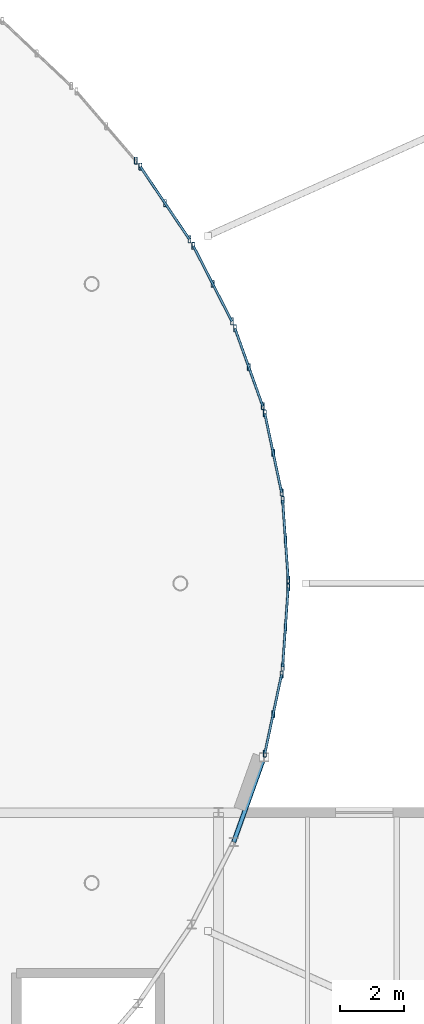
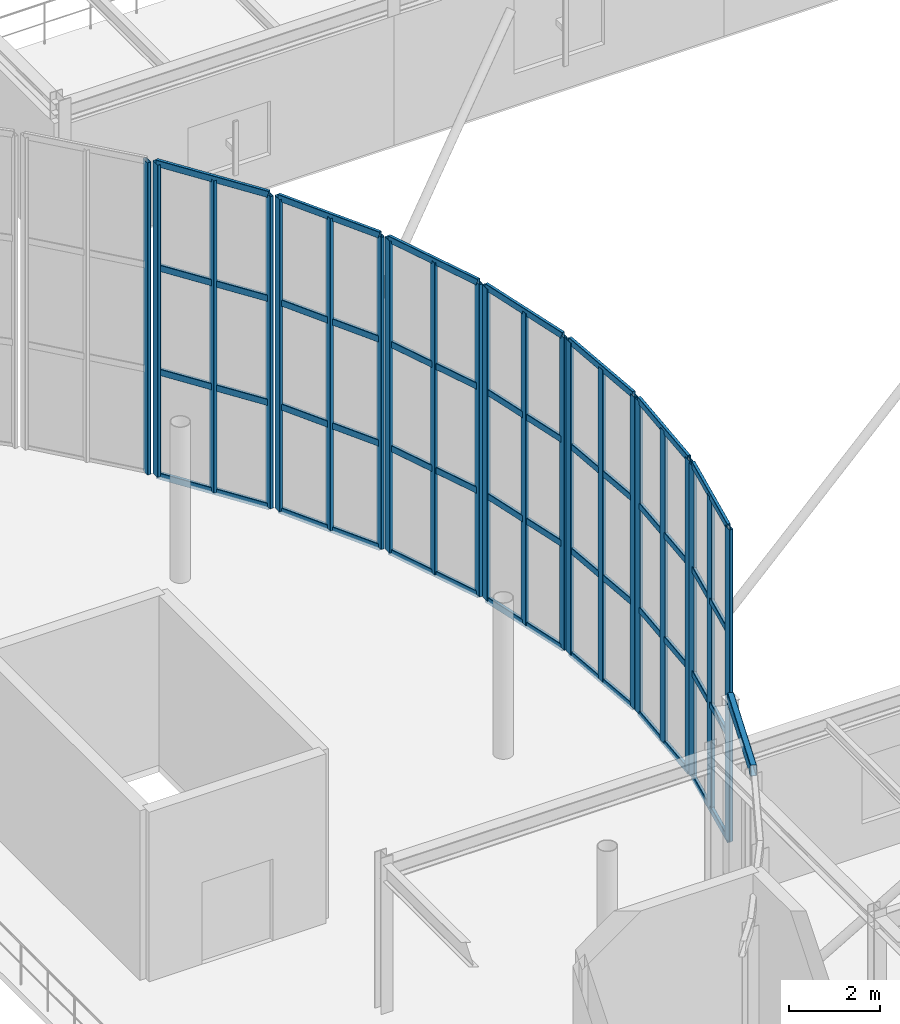
# One storey, part 32 of 109: 50 members, 1 beam, 8 elements without a shape of their own.
"""IFC4 building model written with IfcOpenShell, lengths in metres."""

from ifc_helpers import new_model, si_unit, derived_unit, direction, frame, origin, origin_2d, place, context, subcontext, project, spatial, hollow_rectangle, extrude, material, material_profile, profile_set, type_object, element, aggregate, save


model = new_model("IFC4")

# Units and contexts
model_context = context("Model", 3, precision=1e-05, world=origin(), true_north=direction((0.0, 1.0)))
body_context = subcontext(model_context, "Body", "Model", "MODEL_VIEW")
ifc_project = project(units=[si_unit("LENGTHUNIT", "METRE"), si_unit("AREAUNIT", "SQUARE_METRE"), si_unit("VOLUMEUNIT", "CUBIC_METRE"), si_unit("PLANEANGLEUNIT", "RADIAN"), si_unit("MASSUNIT", "GRAM", prefix="KILO"), derived_unit("THERMALTRANSMITTANCEUNIT", [(si_unit("MASSUNIT", "GRAM", prefix="KILO"), 1), (si_unit("TIMEUNIT", "SECOND"), -3), (si_unit("THERMODYNAMICTEMPERATUREUNIT", "KELVIN"), -1)])], contexts=[model_context])

# Site, building, storey
site_placement = place(None, origin())
site = spatial("IfcSite", under=ifc_project, at=site_placement, CompositionType="ELEMENT")
building_placement = place(site_placement, origin())
building = spatial("IfcBuilding", under=site, at=building_placement, Name="Kharveza Railside Sports Centre", CompositionType="ELEMENT")
storey_placement = place(building_placement, frame((0.0, 0.0, 4.5)))
storey = spatial("IfcBuildingStorey", under=building, at=storey_placement, Name="L01", CompositionType="ELEMENT", Elevation=4.5)

# Beam
ifc_material_1 = material(Name="Steel S355J2", Category="steel")
ifc_material_profile_1 = material_profile(ifc_material_1, hollow_rectangle(XDim=0.14990234375, YDim=0.300048828125, WallThickness=0.012451171875, InnerFilletRadius=0.012451171875, OuterFilletRadius=0.02490234375, at=origin_2d()), Name="RHS 150x300x12.5")
ifc_profile_set_1 = profile_set([ifc_material_profile_1], Name="Steel S355J2")
beam_type = type_object("IfcBeamType", Name="BM-SP03", PredefinedType="SPANDREL", material=ifc_profile_set_1)
beam_placement = place(storey_placement, frame((92.877685546875, 42.27197265625, 3.8798828125), z_axis=(0.336849879302, 0.941558367184, 0.0), x_axis=(-0.941558367184, 0.336849879302, 0.0)))
element("IfcBeam", 1, at=beam_placement, inside=storey, type_object=beam_type, Name="BM-DCLER-SILL-62", PredefinedType="SPANDREL", context=body_context, shape_type="SweptSolid", body=[
    extrude(hollow_rectangle(XDim=0.14990234375, YDim=0.300048828125, WallThickness=0.012451171875, InnerFilletRadius=0.012451171875, OuterFilletRadius=0.02490234375, at=origin_2d()), origin(), (0.0, 0.0, 1.0), 2.8310546875),
])

# Curtain wall, members
ifc_material_2 = material(Name="Low-E solar-control laminated glass", Category="glass")
curtain_wall_type = type_object("IfcCurtainWallType", Name="CW-DR01", PredefinedType="NOTDEFINED", material=ifc_material_2)
curtain_wall_1_placement = place(storey_placement, origin())
curtain_wall_1 = element("IfcCurtainWall", 2, at=curtain_wall_1_placement, inside=storey, type_object=curtain_wall_type, Name="CW-DRUM-01", PredefinedType="NOTDEFINED")
ifc_material_3 = material(Name="Anodised aluminium 6063-T6", Category="aluminium")
ifc_material_profile_2 = material_profile(ifc_material_3, hollow_rectangle(XDim=0.090087890625, YDim=0.219970703125, WallThickness=0.008056640625, InnerFilletRadius=0.008056640625, OuterFilletRadius=0.01611328125, at=origin_2d()), Name="RHS 90x220x8.0")
ifc_profile_set_2 = profile_set([ifc_material_profile_2], Name="Anodised aluminium 6063-T6")
member_type_1 = type_object("IfcMemberType", Name="CW-ML01", PredefinedType="MULLION", material=ifc_profile_set_2)
member_1_placement = place(storey_placement, frame((94.591552734375, 50.519775390625, 0.0), z_axis=(0.0, 0.0, 1.0), x_axis=(1.0, 0.0, 0.0)))
member_1 = element("IfcMember", 3, at=member_1_placement, type_object=member_type_1, Name="CW-DRUM-01-ML1", PredefinedType="MULLION", context=body_context, shape_type="SweptSolid", body=[
    extrude(hollow_rectangle(XDim=0.090087890625, YDim=0.219970703125, WallThickness=0.008056640625, InnerFilletRadius=0.008056640625, OuterFilletRadius=0.01611328125, at=origin_2d()), origin(), (0.0, 0.0, 1.0), 8.39990234375),
])
member_2_placement = place(storey_placement, frame((94.503662109375, 51.772216796875, 0.0), z_axis=(0.0, 0.0, 1.0), x_axis=(1.0, 0.0, 0.0)))
member_2 = element("IfcMember", 4, at=member_2_placement, type_object=member_type_1, Name="CW-DRUM-01-ML2", PredefinedType="MULLION", context=body_context, shape_type="SweptSolid", body=[
    extrude(hollow_rectangle(XDim=0.090087890625, YDim=0.219970703125, WallThickness=0.008056640625, InnerFilletRadius=0.008056640625, OuterFilletRadius=0.01611328125, at=origin_2d()), origin(), (0.0, 0.0, 1.0), 8.39990234375),
])
member_3_placement = place(storey_placement, frame((94.415771484375, 53.02490234375, 0.0), z_axis=(0.0, 0.0, 1.0), x_axis=(1.0, 0.0, 0.0)))
member_3 = element("IfcMember", 5, at=member_3_placement, type_object=member_type_1, Name="CW-DRUM-01-ML3", PredefinedType="MULLION", context=body_context, shape_type="SweptSolid", body=[
    extrude(hollow_rectangle(XDim=0.090087890625, YDim=0.219970703125, WallThickness=0.008056640625, InnerFilletRadius=0.008056640625, OuterFilletRadius=0.01611328125, at=origin_2d()), origin(), (0.0, 0.0, 1.0), 8.39990234375),
])

curtain_wall_2_placement = place(storey_placement, origin())
curtain_wall_2 = element("IfcCurtainWall", 6, at=curtain_wall_2_placement, inside=storey, type_object=curtain_wall_type, Name="CW-DRUM-02", PredefinedType="NOTDEFINED")
member_4_placement = place(storey_placement, frame((94.382568359375, 53.261962890625, 0.0), z_axis=(0.0, 0.0, 1.0), x_axis=(1.0, 0.0, 0.0)))
member_4 = element("IfcMember", 7, at=member_4_placement, type_object=member_type_1, Name="CW-DRUM-02-ML1", PredefinedType="MULLION", context=body_context, shape_type="SweptSolid", body=[
    extrude(hollow_rectangle(XDim=0.090087890625, YDim=0.219970703125, WallThickness=0.008056640625, InnerFilletRadius=0.008056640625, OuterFilletRadius=0.01611328125, at=origin_2d()), origin(), (0.0, 0.0, 1.0), 8.39990234375),
])
member_5_placement = place(storey_placement, frame((94.119384765625, 54.50341796875, 0.0), z_axis=(0.0, 0.0, 1.0), x_axis=(1.0, 0.0, 0.0)))
member_5 = element("IfcMember", 8, at=member_5_placement, type_object=member_type_1, Name="CW-DRUM-02-ML2", PredefinedType="MULLION", context=body_context, shape_type="SweptSolid", body=[
    extrude(hollow_rectangle(XDim=0.090087890625, YDim=0.219970703125, WallThickness=0.008056640625, InnerFilletRadius=0.008056640625, OuterFilletRadius=0.01611328125, at=origin_2d()), origin(), (0.0, 0.0, 1.0), 8.39990234375),
])
member_6_placement = place(storey_placement, frame((93.856201171875, 55.7451171875, 0.0), z_axis=(0.0, 0.0, 1.0), x_axis=(1.0, 0.0, 0.0)))
member_6 = element("IfcMember", 9, at=member_6_placement, type_object=member_type_1, Name="CW-DRUM-02-ML3", PredefinedType="MULLION", context=body_context, shape_type="SweptSolid", body=[
    extrude(hollow_rectangle(XDim=0.090087890625, YDim=0.219970703125, WallThickness=0.008056640625, InnerFilletRadius=0.008056640625, OuterFilletRadius=0.01611328125, at=origin_2d()), origin(), (0.0, 0.0, 1.0), 8.39990234375),
])

curtain_wall_3_placement = place(storey_placement, origin())
curtain_wall_3 = element("IfcCurtainWall", 10, at=curtain_wall_3_placement, inside=storey, type_object=curtain_wall_type, Name="CW-DRUM-03", PredefinedType="NOTDEFINED")
member_7_placement = place(storey_placement, frame((93.791015625, 55.9755859375, 0.0), z_axis=(0.0, 0.0, 1.0), x_axis=(1.0, 0.0, 0.0)))
member_7 = element("IfcMember", 11, at=member_7_placement, type_object=member_type_1, Name="CW-DRUM-03-ML1", PredefinedType="MULLION", context=body_context, shape_type="SweptSolid", body=[
    extrude(hollow_rectangle(XDim=0.090087890625, YDim=0.219970703125, WallThickness=0.008056640625, InnerFilletRadius=0.008056640625, OuterFilletRadius=0.01611328125, at=origin_2d()), origin(), (0.0, 0.0, 1.0), 8.39990234375),
])
member_8_placement = place(storey_placement, frame((93.3544921875, 57.1953125, 0.0), z_axis=(0.0, 0.0, 1.0), x_axis=(1.0, 0.0, 0.0)))
member_8 = element("IfcMember", 12, at=member_8_placement, type_object=member_type_1, Name="CW-DRUM-03-ML2", PredefinedType="MULLION", context=body_context, shape_type="SweptSolid", body=[
    extrude(hollow_rectangle(XDim=0.090087890625, YDim=0.219970703125, WallThickness=0.008056640625, InnerFilletRadius=0.008056640625, OuterFilletRadius=0.01611328125, at=origin_2d()), origin(), (0.0, 0.0, 1.0), 8.39990234375),
])
member_9_placement = place(storey_placement, frame((92.91796875, 58.4150390625, 0.0), z_axis=(0.0, 0.0, 1.0), x_axis=(1.0, 0.0, 0.0)))
member_9 = element("IfcMember", 13, at=member_9_placement, type_object=member_type_1, Name="CW-DRUM-03-ML3", PredefinedType="MULLION", context=body_context, shape_type="SweptSolid", body=[
    extrude(hollow_rectangle(XDim=0.090087890625, YDim=0.219970703125, WallThickness=0.008056640625, InnerFilletRadius=0.008056640625, OuterFilletRadius=0.01611328125, at=origin_2d()), origin(), (0.0, 0.0, 1.0), 8.39990234375),
])

curtain_wall_4_placement = place(storey_placement, origin())
curtain_wall_4 = element("IfcCurtainWall", 14, at=curtain_wall_4_placement, inside=storey, type_object=curtain_wall_type, Name="CW-DRUM-04", PredefinedType="NOTDEFINED")
member_10_placement = place(storey_placement, frame((92.822998046875, 58.634765625, 0.0), z_axis=(0.0, 0.0, 1.0), x_axis=(1.0, 0.0, 0.0)))
member_10 = element("IfcMember", 15, at=member_10_placement, type_object=member_type_1, Name="CW-DRUM-04-ML1", PredefinedType="MULLION", context=body_context, shape_type="SweptSolid", body=[
    extrude(hollow_rectangle(XDim=0.090087890625, YDim=0.219970703125, WallThickness=0.008056640625, InnerFilletRadius=0.008056640625, OuterFilletRadius=0.01611328125, at=origin_2d()), origin(), (0.0, 0.0, 1.0), 8.39990234375),
])
member_11_placement = place(storey_placement, frame((92.21630859375, 59.821533203125, 0.0), z_axis=(0.0, 0.0, 1.0), x_axis=(1.0, 0.0, 0.0)))
member_11 = element("IfcMember", 16, at=member_11_placement, type_object=member_type_1, Name="CW-DRUM-04-ML2", PredefinedType="MULLION", context=body_context, shape_type="SweptSolid", body=[
    extrude(hollow_rectangle(XDim=0.090087890625, YDim=0.219970703125, WallThickness=0.008056640625, InnerFilletRadius=0.008056640625, OuterFilletRadius=0.01611328125, at=origin_2d()), origin(), (0.0, 0.0, 1.0), 8.39990234375),
])
member_12_placement = place(storey_placement, frame((91.60986328125, 61.00830078125, 0.0), z_axis=(0.0, 0.0, 1.0), x_axis=(1.0, 0.0, 0.0)))
member_12 = element("IfcMember", 17, at=member_12_placement, type_object=member_type_1, Name="CW-DRUM-04-ML3", PredefinedType="MULLION", context=body_context, shape_type="SweptSolid", body=[
    extrude(hollow_rectangle(XDim=0.090087890625, YDim=0.219970703125, WallThickness=0.008056640625, InnerFilletRadius=0.008056640625, OuterFilletRadius=0.01611328125, at=origin_2d()), origin(), (0.0, 0.0, 1.0), 8.39990234375),
])

curtain_wall_5_placement = place(storey_placement, origin())
curtain_wall_5 = element("IfcCurtainWall", 18, at=curtain_wall_5_placement, inside=storey, type_object=curtain_wall_type, Name="CW-DRUM-05", PredefinedType="NOTDEFINED")
member_13_placement = place(storey_placement, frame((91.488037109375, 61.214599609375, 0.0), z_axis=(0.0, 0.0, 1.0), x_axis=(1.0, 0.0, 0.0)))
member_13 = element("IfcMember", 19, at=member_13_placement, type_object=member_type_1, Name="CW-DRUM-05-ML1", PredefinedType="MULLION", context=body_context, shape_type="SweptSolid", body=[
    extrude(hollow_rectangle(XDim=0.090087890625, YDim=0.219970703125, WallThickness=0.008056640625, InnerFilletRadius=0.008056640625, OuterFilletRadius=0.01611328125, at=origin_2d()), origin(), (0.0, 0.0, 1.0), 8.39990234375),
])
member_14_placement = place(storey_placement, frame((90.716064453125, 62.357177734375, 0.0), z_axis=(0.0, 0.0, 1.0), x_axis=(1.0, 0.0, 0.0)))
member_14 = element("IfcMember", 20, at=member_14_placement, type_object=member_type_1, Name="CW-DRUM-05-ML2", PredefinedType="MULLION", context=body_context, shape_type="SweptSolid", body=[
    extrude(hollow_rectangle(XDim=0.090087890625, YDim=0.219970703125, WallThickness=0.008056640625, InnerFilletRadius=0.008056640625, OuterFilletRadius=0.01611328125, at=origin_2d()), origin(), (0.0, 0.0, 1.0), 8.39990234375),
])
member_15_placement = place(storey_placement, frame((89.944091796875, 63.499755859375, 0.0), z_axis=(0.0, 0.0, 1.0), x_axis=(1.0, 0.0, 0.0)))
member_15 = element("IfcMember", 21, at=member_15_placement, type_object=member_type_1, Name="CW-DRUM-05-ML3", PredefinedType="MULLION", context=body_context, shape_type="SweptSolid", body=[
    extrude(hollow_rectangle(XDim=0.090087890625, YDim=0.219970703125, WallThickness=0.008056640625, InnerFilletRadius=0.008056640625, OuterFilletRadius=0.01611328125, at=origin_2d()), origin(), (0.0, 0.0, 1.0), 8.39990234375),
])

# Curtain wall, member
curtain_wall_6_placement = place(storey_placement, origin())
curtain_wall_6 = element("IfcCurtainWall", 22, at=curtain_wall_6_placement, inside=storey, type_object=curtain_wall_type, Name="CW-DRUM-06", PredefinedType="NOTDEFINED")
member_16_placement = place(storey_placement, frame((89.798828125, 63.690185546875, 0.0), z_axis=(0.0, 0.0, 1.0), x_axis=(1.0, 0.0, 0.0)))
member_16 = element("IfcMember", 23, at=member_16_placement, type_object=member_type_1, Name="CW-DRUM-06-ML1", PredefinedType="MULLION", context=body_context, shape_type="SweptSolid", body=[
    extrude(hollow_rectangle(XDim=0.090087890625, YDim=0.219970703125, WallThickness=0.008056640625, InnerFilletRadius=0.008056640625, OuterFilletRadius=0.01611328125, at=origin_2d()), origin(), (0.0, 0.0, 1.0), 8.39990234375),
])
aggregate(curtain_wall_6, [member_16])

# Curtain wall, members
curtain_wall_7_placement = place(storey_placement, origin())
curtain_wall_7 = element("IfcCurtainWall", 24, at=curtain_wall_7_placement, inside=storey, type_object=curtain_wall_type, Name="CW-DRUM-63", PredefinedType="NOTDEFINED")
member_17_placement = place(storey_placement, frame((93.856201171875, 45.054931640625, 0.0), z_axis=(0.0, 0.0, 1.0), x_axis=(1.0, 0.0, 0.0)))
member_17 = element("IfcMember", 25, at=member_17_placement, type_object=member_type_1, Name="CW-DRUM-63-ML1", PredefinedType="MULLION", context=body_context, shape_type="SweptSolid", body=[
    extrude(hollow_rectangle(XDim=0.090087890625, YDim=0.219970703125, WallThickness=0.008056640625, InnerFilletRadius=0.008056640625, OuterFilletRadius=0.01611328125, at=origin_2d()), origin(), (0.0, 0.0, 1.0), 8.39990234375),
])
member_18_placement = place(storey_placement, frame((94.119384765625, 46.29638671875, 0.0), z_axis=(0.0, 0.0, 1.0), x_axis=(1.0, 0.0, 0.0)))
member_18 = element("IfcMember", 26, at=member_18_placement, type_object=member_type_1, Name="CW-DRUM-63-ML2", PredefinedType="MULLION", context=body_context, shape_type="SweptSolid", body=[
    extrude(hollow_rectangle(XDim=0.090087890625, YDim=0.219970703125, WallThickness=0.008056640625, InnerFilletRadius=0.008056640625, OuterFilletRadius=0.01611328125, at=origin_2d()), origin(), (0.0, 0.0, 1.0), 8.39990234375),
])
member_19_placement = place(storey_placement, frame((94.382568359375, 47.5380859375, 0.0), z_axis=(0.0, 0.0, 1.0), x_axis=(1.0, 0.0, 0.0)))
member_19 = element("IfcMember", 27, at=member_19_placement, type_object=member_type_1, Name="CW-DRUM-63-ML3", PredefinedType="MULLION", context=body_context, shape_type="SweptSolid", body=[
    extrude(hollow_rectangle(XDim=0.090087890625, YDim=0.219970703125, WallThickness=0.008056640625, InnerFilletRadius=0.008056640625, OuterFilletRadius=0.01611328125, at=origin_2d()), origin(), (0.0, 0.0, 1.0), 8.39990234375),
])

curtain_wall_8_placement = place(storey_placement, origin())
curtain_wall_8 = element("IfcCurtainWall", 28, at=curtain_wall_8_placement, inside=storey, type_object=curtain_wall_type, Name="CW-DRUM-64", PredefinedType="NOTDEFINED")
member_20_placement = place(storey_placement, frame((94.415771484375, 47.775146484375, 0.0), z_axis=(0.0, 0.0, 1.0), x_axis=(1.0, 0.0, 0.0)))
member_20 = element("IfcMember", 29, at=member_20_placement, type_object=member_type_1, Name="CW-DRUM-64-ML1", PredefinedType="MULLION", context=body_context, shape_type="SweptSolid", body=[
    extrude(hollow_rectangle(XDim=0.090087890625, YDim=0.219970703125, WallThickness=0.008056640625, InnerFilletRadius=0.008056640625, OuterFilletRadius=0.01611328125, at=origin_2d()), origin(), (0.0, 0.0, 1.0), 8.39990234375),
])
member_21_placement = place(storey_placement, frame((94.503662109375, 49.02783203125, 0.0), z_axis=(0.0, 0.0, 1.0), x_axis=(1.0, 0.0, 0.0)))
member_21 = element("IfcMember", 30, at=member_21_placement, type_object=member_type_1, Name="CW-DRUM-64-ML2", PredefinedType="MULLION", context=body_context, shape_type="SweptSolid", body=[
    extrude(hollow_rectangle(XDim=0.090087890625, YDim=0.219970703125, WallThickness=0.008056640625, InnerFilletRadius=0.008056640625, OuterFilletRadius=0.01611328125, at=origin_2d()), origin(), (0.0, 0.0, 1.0), 8.39990234375),
])
member_22_placement = place(storey_placement, frame((94.591552734375, 50.2802734375, 0.0), z_axis=(0.0, 0.0, 1.0), x_axis=(1.0, 0.0, 0.0)))
member_22 = element("IfcMember", 31, at=member_22_placement, type_object=member_type_1, Name="CW-DRUM-64-ML3", PredefinedType="MULLION", context=body_context, shape_type="SweptSolid", body=[
    extrude(hollow_rectangle(XDim=0.090087890625, YDim=0.219970703125, WallThickness=0.008056640625, InnerFilletRadius=0.008056640625, OuterFilletRadius=0.01611328125, at=origin_2d()), origin(), (0.0, 0.0, 1.0), 8.39990234375),
])

# Member
ifc_material_profile_3 = material_profile(ifc_material_3, hollow_rectangle(XDim=0.080078125, YDim=0.179931640625, WallThickness=0.00634765625, InnerFilletRadius=0.00634765625, OuterFilletRadius=0.0126953125, at=origin_2d()), Name="RHS 80x180x6.3")
ifc_profile_set_3 = profile_set([ifc_material_profile_3], Name="Anodised aluminium 6063-T6")
member_type_2 = type_object("IfcMemberType", Name="CW-TR01", PredefinedType="USERDEFINED", material=ifc_profile_set_3)
member_23_placement = place(storey_placement, frame((94.591552734375, 50.519775390625, 0.0), z_axis=(-0.069996492641, 0.997547237487, 0.0), x_axis=(-0.997547237487, -0.069996492641, 0.0)))
member_23 = element("IfcMember", 32, at=member_23_placement, type_object=member_type_2, Name="CW-DRUM-01-TR1", ObjectType="TRANSOM", PredefinedType="USERDEFINED", context=body_context, shape_type="SweptSolid", body=[
    extrude(hollow_rectangle(XDim=0.080078125, YDim=0.179931640625, WallThickness=0.00634765625, InnerFilletRadius=0.00634765625, OuterFilletRadius=0.0126953125, at=origin_2d()), origin(), (0.0, 0.0, 1.0), 2.51123046875),
])

member_24_placement = place(storey_placement, frame((94.591552734375, 50.519775390625, 2.800048828125), z_axis=(-0.069996492641, 0.997547237487, 0.0), x_axis=(-0.997547237487, -0.069996492641, 0.0)))
member_24 = element("IfcMember", 33, at=member_24_placement, type_object=member_type_2, Name="CW-DRUM-01-TR2", ObjectType="TRANSOM", PredefinedType="USERDEFINED", context=body_context, shape_type="SweptSolid", body=[
    extrude(hollow_rectangle(XDim=0.080078125, YDim=0.179931640625, WallThickness=0.00634765625, InnerFilletRadius=0.00634765625, OuterFilletRadius=0.0126953125, at=origin_2d()), origin(), (0.0, 0.0, 1.0), 2.51123046875),
])

member_25_placement = place(storey_placement, frame((94.591552734375, 50.519775390625, 5.60009765625), z_axis=(-0.069996492641, 0.997547237487, 0.0), x_axis=(-0.997547237487, -0.069996492641, 0.0)))
member_25 = element("IfcMember", 34, at=member_25_placement, type_object=member_type_2, Name="CW-DRUM-01-TR3", ObjectType="TRANSOM", PredefinedType="USERDEFINED", context=body_context, shape_type="SweptSolid", body=[
    extrude(hollow_rectangle(XDim=0.080078125, YDim=0.179931640625, WallThickness=0.00634765625, InnerFilletRadius=0.00634765625, OuterFilletRadius=0.0126953125, at=origin_2d()), origin(), (0.0, 0.0, 1.0), 2.51123046875),
])

member_26_placement = place(storey_placement, frame((94.591552734375, 50.519775390625, 8.39990234375), z_axis=(-0.069996492641, 0.997547237487, 0.0), x_axis=(-0.997547237487, -0.069996492641, 0.0)))
member_26 = element("IfcMember", 35, at=member_26_placement, type_object=member_type_2, Name="CW-DRUM-01-TR4", ObjectType="TRANSOM", PredefinedType="USERDEFINED", context=body_context, shape_type="SweptSolid", body=[
    extrude(hollow_rectangle(XDim=0.080078125, YDim=0.179931640625, WallThickness=0.00634765625, InnerFilletRadius=0.00634765625, OuterFilletRadius=0.0126953125, at=origin_2d()), origin(), (0.0, 0.0, 1.0), 2.51123046875),
])

aggregate(curtain_wall_1, [member_1, member_2, member_3, member_23, member_24, member_25, member_26])

member_27_placement = place(storey_placement, frame((94.382568359375, 53.261962890625, 0.0), z_axis=(-0.207367540552, 0.978263105266, 0.0), x_axis=(-0.978263105266, -0.207367540552, 0.0)))
member_27 = element("IfcMember", 36, at=member_27_placement, type_object=member_type_2, Name="CW-DRUM-02-TR1", ObjectType="TRANSOM", PredefinedType="USERDEFINED", context=body_context, shape_type="SweptSolid", body=[
    extrude(hollow_rectangle(XDim=0.080078125, YDim=0.179931640625, WallThickness=0.00634765625, InnerFilletRadius=0.00634765625, OuterFilletRadius=0.0126953125, at=origin_2d()), origin(), (0.0, 0.0, 1.0), 2.538330078125),
])

member_28_placement = place(storey_placement, frame((94.382568359375, 53.261962890625, 2.800048828125), z_axis=(-0.207367540552, 0.978263105266, 0.0), x_axis=(-0.978263105266, -0.207367540552, 0.0)))
member_28 = element("IfcMember", 37, at=member_28_placement, type_object=member_type_2, Name="CW-DRUM-02-TR2", ObjectType="TRANSOM", PredefinedType="USERDEFINED", context=body_context, shape_type="SweptSolid", body=[
    extrude(hollow_rectangle(XDim=0.080078125, YDim=0.179931640625, WallThickness=0.00634765625, InnerFilletRadius=0.00634765625, OuterFilletRadius=0.0126953125, at=origin_2d()), origin(), (0.0, 0.0, 1.0), 2.538330078125),
])

member_29_placement = place(storey_placement, frame((94.382568359375, 53.261962890625, 5.60009765625), z_axis=(-0.207367540552, 0.978263105266, 0.0), x_axis=(-0.978263105266, -0.207367540552, 0.0)))
member_29 = element("IfcMember", 38, at=member_29_placement, type_object=member_type_2, Name="CW-DRUM-02-TR3", ObjectType="TRANSOM", PredefinedType="USERDEFINED", context=body_context, shape_type="SweptSolid", body=[
    extrude(hollow_rectangle(XDim=0.080078125, YDim=0.179931640625, WallThickness=0.00634765625, InnerFilletRadius=0.00634765625, OuterFilletRadius=0.0126953125, at=origin_2d()), origin(), (0.0, 0.0, 1.0), 2.538330078125),
])

member_30_placement = place(storey_placement, frame((94.382568359375, 53.261962890625, 8.39990234375), z_axis=(-0.207367540552, 0.978263105266, 0.0), x_axis=(-0.978263105266, -0.207367540552, 0.0)))
member_30 = element("IfcMember", 39, at=member_30_placement, type_object=member_type_2, Name="CW-DRUM-02-TR4", ObjectType="TRANSOM", PredefinedType="USERDEFINED", context=body_context, shape_type="SweptSolid", body=[
    extrude(hollow_rectangle(XDim=0.080078125, YDim=0.179931640625, WallThickness=0.00634765625, InnerFilletRadius=0.00634765625, OuterFilletRadius=0.0126953125, at=origin_2d()), origin(), (0.0, 0.0, 1.0), 2.538330078125),
])

aggregate(curtain_wall_2, [member_4, member_5, member_6, member_27, member_28, member_29, member_30])

member_31_placement = place(storey_placement, frame((93.791015625, 55.9755859375, 0.0), z_axis=(-0.336957116083, 0.941519995497, 0.0), x_axis=(-0.941519995497, -0.336957116083, 0.0)))
member_31 = element("IfcMember", 40, at=member_31_placement, type_object=member_type_2, Name="CW-DRUM-03-TR1", ObjectType="TRANSOM", PredefinedType="USERDEFINED", context=body_context, shape_type="SweptSolid", body=[
    extrude(hollow_rectangle(XDim=0.080078125, YDim=0.179931640625, WallThickness=0.00634765625, InnerFilletRadius=0.00634765625, OuterFilletRadius=0.0126953125, at=origin_2d()), origin(), (0.0, 0.0, 1.0), 2.591064453125),
])

member_32_placement = place(storey_placement, frame((93.791015625, 55.9755859375, 2.800048828125), z_axis=(-0.336957116083, 0.941519995497, 0.0), x_axis=(-0.941519995497, -0.336957116083, 0.0)))
member_32 = element("IfcMember", 41, at=member_32_placement, type_object=member_type_2, Name="CW-DRUM-03-TR2", ObjectType="TRANSOM", PredefinedType="USERDEFINED", context=body_context, shape_type="SweptSolid", body=[
    extrude(hollow_rectangle(XDim=0.080078125, YDim=0.179931640625, WallThickness=0.00634765625, InnerFilletRadius=0.00634765625, OuterFilletRadius=0.0126953125, at=origin_2d()), origin(), (0.0, 0.0, 1.0), 2.591064453125),
])

member_33_placement = place(storey_placement, frame((93.791015625, 55.9755859375, 5.60009765625), z_axis=(-0.336957116083, 0.941519995497, 0.0), x_axis=(-0.941519995497, -0.336957116083, 0.0)))
member_33 = element("IfcMember", 42, at=member_33_placement, type_object=member_type_2, Name="CW-DRUM-03-TR3", ObjectType="TRANSOM", PredefinedType="USERDEFINED", context=body_context, shape_type="SweptSolid", body=[
    extrude(hollow_rectangle(XDim=0.080078125, YDim=0.179931640625, WallThickness=0.00634765625, InnerFilletRadius=0.00634765625, OuterFilletRadius=0.0126953125, at=origin_2d()), origin(), (0.0, 0.0, 1.0), 2.591064453125),
])

member_34_placement = place(storey_placement, frame((93.791015625, 55.9755859375, 8.39990234375), z_axis=(-0.336957116083, 0.941519995497, 0.0), x_axis=(-0.941519995497, -0.336957116083, 0.0)))
member_34 = element("IfcMember", 43, at=member_34_placement, type_object=member_type_2, Name="CW-DRUM-03-TR4", ObjectType="TRANSOM", PredefinedType="USERDEFINED", context=body_context, shape_type="SweptSolid", body=[
    extrude(hollow_rectangle(XDim=0.080078125, YDim=0.179931640625, WallThickness=0.00634765625, InnerFilletRadius=0.00634765625, OuterFilletRadius=0.0126953125, at=origin_2d()), origin(), (0.0, 0.0, 1.0), 2.591064453125),
])

aggregate(curtain_wall_3, [member_7, member_8, member_9, member_31, member_32, member_33, member_34])

member_35_placement = place(storey_placement, frame((92.822998046875, 58.634765625, 0.0), z_axis=(-0.45510944603, 0.890435507004, 0.0), x_axis=(-0.890435507004, -0.45510944603, 0.0)))
member_35 = element("IfcMember", 44, at=member_35_placement, type_object=member_type_2, Name="CW-DRUM-04-TR1", ObjectType="TRANSOM", PredefinedType="USERDEFINED", context=body_context, shape_type="SweptSolid", body=[
    extrude(hollow_rectangle(XDim=0.080078125, YDim=0.179931640625, WallThickness=0.00634765625, InnerFilletRadius=0.00634765625, OuterFilletRadius=0.0126953125, at=origin_2d()), origin(), (0.0, 0.0, 1.0), 2.66552734375),
])

member_36_placement = place(storey_placement, frame((92.822998046875, 58.634765625, 2.800048828125), z_axis=(-0.45510944603, 0.890435507004, 0.0), x_axis=(-0.890435507004, -0.45510944603, 0.0)))
member_36 = element("IfcMember", 45, at=member_36_placement, type_object=member_type_2, Name="CW-DRUM-04-TR2", ObjectType="TRANSOM", PredefinedType="USERDEFINED", context=body_context, shape_type="SweptSolid", body=[
    extrude(hollow_rectangle(XDim=0.080078125, YDim=0.179931640625, WallThickness=0.00634765625, InnerFilletRadius=0.00634765625, OuterFilletRadius=0.0126953125, at=origin_2d()), origin(), (0.0, 0.0, 1.0), 2.66552734375),
])

member_37_placement = place(storey_placement, frame((92.822998046875, 58.634765625, 5.60009765625), z_axis=(-0.45510944603, 0.890435507004, 0.0), x_axis=(-0.890435507004, -0.45510944603, 0.0)))
member_37 = element("IfcMember", 46, at=member_37_placement, type_object=member_type_2, Name="CW-DRUM-04-TR3", ObjectType="TRANSOM", PredefinedType="USERDEFINED", context=body_context, shape_type="SweptSolid", body=[
    extrude(hollow_rectangle(XDim=0.080078125, YDim=0.179931640625, WallThickness=0.00634765625, InnerFilletRadius=0.00634765625, OuterFilletRadius=0.0126953125, at=origin_2d()), origin(), (0.0, 0.0, 1.0), 2.66552734375),
])

member_38_placement = place(storey_placement, frame((92.822998046875, 58.634765625, 8.39990234375), z_axis=(-0.45510944603, 0.890435507004, 0.0), x_axis=(-0.890435507004, -0.45510944603, 0.0)))
member_38 = element("IfcMember", 47, at=member_38_placement, type_object=member_type_2, Name="CW-DRUM-04-TR4", ObjectType="TRANSOM", PredefinedType="USERDEFINED", context=body_context, shape_type="SweptSolid", body=[
    extrude(hollow_rectangle(XDim=0.080078125, YDim=0.179931640625, WallThickness=0.00634765625, InnerFilletRadius=0.00634765625, OuterFilletRadius=0.0126953125, at=origin_2d()), origin(), (0.0, 0.0, 1.0), 2.66552734375),
])

aggregate(curtain_wall_4, [member_10, member_11, member_12, member_35, member_36, member_37, member_38])

member_39_placement = place(storey_placement, frame((91.488037109375, 61.214599609375, 0.0), z_axis=(-0.559837699237, 0.828602287296, 0.0), x_axis=(-0.828602287296, -0.559837699237, 0.0)))
member_39 = element("IfcMember", 48, at=member_39_placement, type_object=member_type_2, Name="CW-DRUM-05-TR1", ObjectType="TRANSOM", PredefinedType="USERDEFINED", context=body_context, shape_type="SweptSolid", body=[
    extrude(hollow_rectangle(XDim=0.080078125, YDim=0.179931640625, WallThickness=0.00634765625, InnerFilletRadius=0.00634765625, OuterFilletRadius=0.0126953125, at=origin_2d()), origin(), (0.0, 0.0, 1.0), 2.7578125),
])

member_40_placement = place(storey_placement, frame((91.488037109375, 61.214599609375, 2.800048828125), z_axis=(-0.559837699237, 0.828602287296, 0.0), x_axis=(-0.828602287296, -0.559837699237, 0.0)))
member_40 = element("IfcMember", 49, at=member_40_placement, type_object=member_type_2, Name="CW-DRUM-05-TR2", ObjectType="TRANSOM", PredefinedType="USERDEFINED", context=body_context, shape_type="SweptSolid", body=[
    extrude(hollow_rectangle(XDim=0.080078125, YDim=0.179931640625, WallThickness=0.00634765625, InnerFilletRadius=0.00634765625, OuterFilletRadius=0.0126953125, at=origin_2d()), origin(), (0.0, 0.0, 1.0), 2.7578125),
])

member_41_placement = place(storey_placement, frame((91.488037109375, 61.214599609375, 5.60009765625), z_axis=(-0.559837699237, 0.828602287296, 0.0), x_axis=(-0.828602287296, -0.559837699237, 0.0)))
member_41 = element("IfcMember", 50, at=member_41_placement, type_object=member_type_2, Name="CW-DRUM-05-TR3", ObjectType="TRANSOM", PredefinedType="USERDEFINED", context=body_context, shape_type="SweptSolid", body=[
    extrude(hollow_rectangle(XDim=0.080078125, YDim=0.179931640625, WallThickness=0.00634765625, InnerFilletRadius=0.00634765625, OuterFilletRadius=0.0126953125, at=origin_2d()), origin(), (0.0, 0.0, 1.0), 2.7578125),
])

member_42_placement = place(storey_placement, frame((91.488037109375, 61.214599609375, 8.39990234375), z_axis=(-0.559837699237, 0.828602287296, 0.0), x_axis=(-0.828602287296, -0.559837699237, 0.0)))
member_42 = element("IfcMember", 51, at=member_42_placement, type_object=member_type_2, Name="CW-DRUM-05-TR4", ObjectType="TRANSOM", PredefinedType="USERDEFINED", context=body_context, shape_type="SweptSolid", body=[
    extrude(hollow_rectangle(XDim=0.080078125, YDim=0.179931640625, WallThickness=0.00634765625, InnerFilletRadius=0.00634765625, OuterFilletRadius=0.0126953125, at=origin_2d()), origin(), (0.0, 0.0, 1.0), 2.7578125),
])

aggregate(curtain_wall_5, [member_13, member_14, member_15, member_39, member_40, member_41, member_42])

member_43_placement = place(storey_placement, frame((93.856201171875, 45.054931640625, 0.0), z_axis=(0.207367540552, 0.978263105266, 0.0), x_axis=(-0.978263105266, 0.207367540552, 0.0)))
member_43 = element("IfcMember", 52, at=member_43_placement, type_object=member_type_2, Name="CW-DRUM-63-TR1", ObjectType="TRANSOM", PredefinedType="USERDEFINED", context=body_context, shape_type="SweptSolid", body=[
    extrude(hollow_rectangle(XDim=0.080078125, YDim=0.179931640625, WallThickness=0.00634765625, InnerFilletRadius=0.00634765625, OuterFilletRadius=0.0126953125, at=origin_2d()), origin(), (0.0, 0.0, 1.0), 2.538330078125),
])

member_44_placement = place(storey_placement, frame((93.856201171875, 45.054931640625, 2.800048828125), z_axis=(0.207367540552, 0.978263105266, 0.0), x_axis=(-0.978263105266, 0.207367540552, 0.0)))
member_44 = element("IfcMember", 53, at=member_44_placement, type_object=member_type_2, Name="CW-DRUM-63-TR2", ObjectType="TRANSOM", PredefinedType="USERDEFINED", context=body_context, shape_type="SweptSolid", body=[
    extrude(hollow_rectangle(XDim=0.080078125, YDim=0.179931640625, WallThickness=0.00634765625, InnerFilletRadius=0.00634765625, OuterFilletRadius=0.0126953125, at=origin_2d()), origin(), (0.0, 0.0, 1.0), 2.538330078125),
])

member_45_placement = place(storey_placement, frame((93.856201171875, 45.054931640625, 5.60009765625), z_axis=(0.207367540552, 0.978263105266, 0.0), x_axis=(-0.978263105266, 0.207367540552, 0.0)))
member_45 = element("IfcMember", 54, at=member_45_placement, type_object=member_type_2, Name="CW-DRUM-63-TR3", ObjectType="TRANSOM", PredefinedType="USERDEFINED", context=body_context, shape_type="SweptSolid", body=[
    extrude(hollow_rectangle(XDim=0.080078125, YDim=0.179931640625, WallThickness=0.00634765625, InnerFilletRadius=0.00634765625, OuterFilletRadius=0.0126953125, at=origin_2d()), origin(), (0.0, 0.0, 1.0), 2.538330078125),
])

member_46_placement = place(storey_placement, frame((93.856201171875, 45.054931640625, 8.39990234375), z_axis=(0.207367540552, 0.978263105266, 0.0), x_axis=(-0.978263105266, 0.207367540552, 0.0)))
member_46 = element("IfcMember", 55, at=member_46_placement, type_object=member_type_2, Name="CW-DRUM-63-TR4", ObjectType="TRANSOM", PredefinedType="USERDEFINED", context=body_context, shape_type="SweptSolid", body=[
    extrude(hollow_rectangle(XDim=0.080078125, YDim=0.179931640625, WallThickness=0.00634765625, InnerFilletRadius=0.00634765625, OuterFilletRadius=0.0126953125, at=origin_2d()), origin(), (0.0, 0.0, 1.0), 2.538330078125),
])

aggregate(curtain_wall_7, [member_17, member_18, member_19, member_43, member_44, member_45, member_46])

member_47_placement = place(storey_placement, frame((94.415771484375, 47.775146484375, 0.0), z_axis=(0.069996492641, 0.997547237487, 0.0), x_axis=(-0.997547237487, 0.069996492641, 0.0)))
member_47 = element("IfcMember", 56, at=member_47_placement, type_object=member_type_2, Name="CW-DRUM-64-TR1", ObjectType="TRANSOM", PredefinedType="USERDEFINED", context=body_context, shape_type="SweptSolid", body=[
    extrude(hollow_rectangle(XDim=0.080078125, YDim=0.179931640625, WallThickness=0.00634765625, InnerFilletRadius=0.00634765625, OuterFilletRadius=0.0126953125, at=origin_2d()), origin(), (0.0, 0.0, 1.0), 2.51123046875),
])

member_48_placement = place(storey_placement, frame((94.415771484375, 47.775146484375, 2.800048828125), z_axis=(0.069996492641, 0.997547237487, 0.0), x_axis=(-0.997547237487, 0.069996492641, 0.0)))
member_48 = element("IfcMember", 57, at=member_48_placement, type_object=member_type_2, Name="CW-DRUM-64-TR2", ObjectType="TRANSOM", PredefinedType="USERDEFINED", context=body_context, shape_type="SweptSolid", body=[
    extrude(hollow_rectangle(XDim=0.080078125, YDim=0.179931640625, WallThickness=0.00634765625, InnerFilletRadius=0.00634765625, OuterFilletRadius=0.0126953125, at=origin_2d()), origin(), (0.0, 0.0, 1.0), 2.51123046875),
])

member_49_placement = place(storey_placement, frame((94.415771484375, 47.775146484375, 5.60009765625), z_axis=(0.069996492641, 0.997547237487, 0.0), x_axis=(-0.997547237487, 0.069996492641, 0.0)))
member_49 = element("IfcMember", 58, at=member_49_placement, type_object=member_type_2, Name="CW-DRUM-64-TR3", ObjectType="TRANSOM", PredefinedType="USERDEFINED", context=body_context, shape_type="SweptSolid", body=[
    extrude(hollow_rectangle(XDim=0.080078125, YDim=0.179931640625, WallThickness=0.00634765625, InnerFilletRadius=0.00634765625, OuterFilletRadius=0.0126953125, at=origin_2d()), origin(), (0.0, 0.0, 1.0), 2.51123046875),
])

member_50_placement = place(storey_placement, frame((94.415771484375, 47.775146484375, 8.39990234375), z_axis=(0.069996492641, 0.997547237487, 0.0), x_axis=(-0.997547237487, 0.069996492641, 0.0)))
member_50 = element("IfcMember", 59, at=member_50_placement, type_object=member_type_2, Name="CW-DRUM-64-TR4", ObjectType="TRANSOM", PredefinedType="USERDEFINED", context=body_context, shape_type="SweptSolid", body=[
    extrude(hollow_rectangle(XDim=0.080078125, YDim=0.179931640625, WallThickness=0.00634765625, InnerFilletRadius=0.00634765625, OuterFilletRadius=0.0126953125, at=origin_2d()), origin(), (0.0, 0.0, 1.0), 2.51123046875),
])

aggregate(curtain_wall_8, [member_20, member_21, member_22, member_47, member_48, member_49, member_50])

save(model, "model.ifc")
